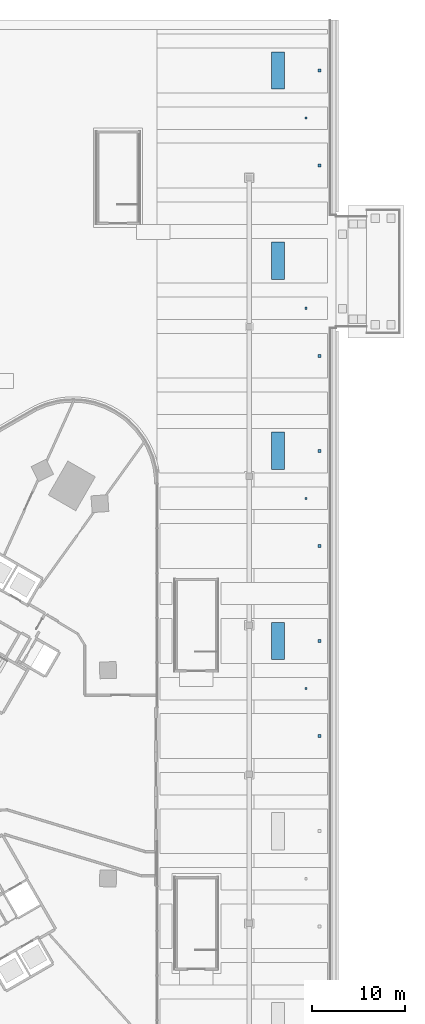
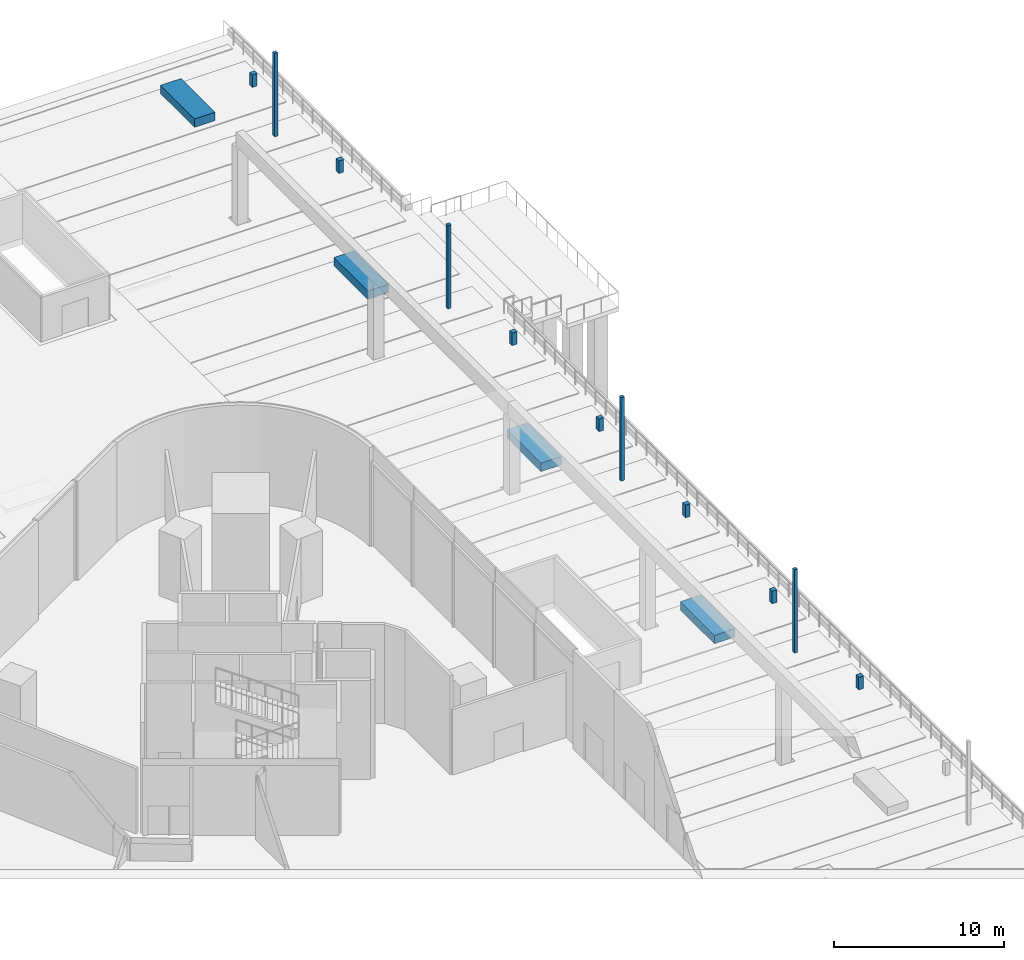
# One storey, part 28 of 41: 15 discrete accessories.
"""IFC4 building model written with IfcOpenShell, lengths in metres."""

from ifc_helpers import new_model, si_unit, direction, frame, origin, origin_2d, place, context, subcontext, project, spatial, rectangle, extrude, material, type_object, element, save


model = new_model("IFC4")

# Units and contexts
model_context = context("Model", 3, precision=1e-05, world=origin(), true_north=direction((0.0, 1.0)))
body_context = subcontext(model_context, "Body", "Model", "MODEL_VIEW")
ifc_project = project(units=[si_unit("LENGTHUNIT", "METRE"), si_unit("AREAUNIT", "SQUARE_METRE"), si_unit("VOLUMEUNIT", "CUBIC_METRE"), si_unit("PLANEANGLEUNIT", "RADIAN"), si_unit("MASSUNIT", "GRAM", prefix="KILO")], contexts=[model_context])

# Site, building, storey
site_placement = place(None, origin())
site = spatial("IfcSite", under=ifc_project, at=site_placement, CompositionType="ELEMENT")
building_placement = place(site_placement, origin())
building = spatial("IfcBuilding", under=site, at=building_placement, Name="Tamra Quay Hotel Tower", CompositionType="ELEMENT")
storey_placement = place(building_placement, origin())
storey = spatial("IfcBuildingStorey", under=building, at=storey_placement, Name="L00", CompositionType="ELEMENT", Elevation=0.0)

# Discrete accessories
ifc_material_1 = material(Name="Planting bed in concrete trough M40", Category="concrete")
discrete_accessory_type_1 = type_object("IfcDiscreteAccessoryType", Name="PLANTER TROUGH 1400X4000", PredefinedType="USERDEFINED", material=ifc_material_1)
for number, where, z_axis, x_axis, name in (
    (1, (40.0, 14.300048828125, 0.06005859375), (0.0, 0.0, 1.0), (1.0, 0.0, 0.0), "Planter trough 5"),
    (2, (40.0, 34.699951171875, 0.06005859375), (0.0, 0.0, 1.0), (1.0, 0.0, 0.0), "Planter trough 6"),
    (3, (40.0, 55.10009765625, 0.06005859375), (0.0, 0.0, 1.0), (1.0, 0.0, 0.0), "Planter trough 7"),
    (4, (40.0, 75.5, 0.06005859375), (0.0, 0.0, 1.0), (1.0, 0.0, 0.0), "Planter trough 8"),
):
    element("IfcDiscreteAccessory", number, at=place(storey_placement, frame(where, z_axis=z_axis, x_axis=x_axis)), inside=storey, type_object=discrete_accessory_type_1, Name=name, ObjectType="PLANTER", PredefinedType="USERDEFINED", context=body_context, shape_type="SweptSolid", body=[
        extrude(rectangle(XDim=1.39990234375, YDim=4.0, at=origin_2d()), origin(), (0.0, 0.0, 1.0), 0.60009765625),
    ])
ifc_material_2 = material(Name="Galvanised steel lamp column", Category="steel")
discrete_accessory_type_2 = type_object("IfcDiscreteAccessoryType", Name="PROMENADE LAMP COLUMN 220", PredefinedType="USERDEFINED", material=ifc_material_2)
for number, where, z_axis, x_axis, name in (
    (5, (43.0, 9.199951171875, 0.06005859375), (0.0, 0.0, 1.0), (1.0, 0.0, 0.0), "Promenade lamp column 5"),
    (6, (43.0, 29.60009765625, 0.06005859375), (0.0, 0.0, 1.0), (1.0, 0.0, 0.0), "Promenade lamp column 6"),
    (7, (43.0, 50.0, 0.06005859375), (0.0, 0.0, 1.0), (1.0, 0.0, 0.0), "Promenade lamp column 7"),
    (8, (43.0, 70.39990234375, 0.06005859375), (0.0, 0.0, 1.0), (1.0, 0.0, 0.0), "Promenade lamp column 8"),
):
    element("IfcDiscreteAccessory", number, at=place(storey_placement, frame(where, z_axis=z_axis, x_axis=x_axis)), inside=storey, type_object=discrete_accessory_type_2, Name=name, ObjectType="LAMP COLUMN", PredefinedType="USERDEFINED", context=body_context, shape_type="SweptSolid", body=[
        extrude(rectangle(XDim=0.219970703125, YDim=0.219970703125, at=origin_2d()), origin(), (0.0, 0.0, 1.0), 6.0),
    ])
ifc_material_3 = material(Name="Stainless steel bollard", Category="steel")
discrete_accessory_type_3 = type_object("IfcDiscreteAccessoryType", Name="QUAY BOLLARD 320", PredefinedType="USERDEFINED", material=ifc_material_3)
for number, where, z_axis, x_axis, name in (
    (9, (44.449951171875, 4.10009765625, 0.06005859375), (0.0, 0.0, 1.0), (1.0, 0.0, 0.0), "Quay bollard 7"),
    (10, (44.449951171875, 14.300048828125, 0.06005859375), (0.0, 0.0, 1.0), (1.0, 0.0, 0.0), "Quay bollard 8"),
    (11, (44.449951171875, 24.5, 0.06005859375), (0.0, 0.0, 1.0), (1.0, 0.0, 0.0), "Quay bollard 9"),
    (12, (44.449951171875, 34.699951171875, 0.06005859375), (0.0, 0.0, 1.0), (1.0, 0.0, 0.0), "Quay bollard 10"),
    (13, (44.449951171875, 44.89990234375, 0.06005859375), (0.0, 0.0, 1.0), (1.0, 0.0, 0.0), "Quay bollard 11"),
    (14, (44.449951171875, 65.300048828125, 0.06005859375), (0.0, 0.0, 1.0), (1.0, 0.0, 0.0), "Quay bollard 12"),
    (15, (44.449951171875, 75.5, 0.06005859375), (0.0, 0.0, 1.0), (1.0, 0.0, 0.0), "Quay bollard 13"),
):
    element("IfcDiscreteAccessory", number, at=place(storey_placement, frame(where, z_axis=z_axis, x_axis=x_axis)), inside=storey, type_object=discrete_accessory_type_3, Name=name, ObjectType="BOLLARD", PredefinedType="USERDEFINED", context=body_context, shape_type="SweptSolid", body=[
        extrude(rectangle(XDim=0.320068359375, YDim=0.320068359375, at=origin_2d()), origin(), (0.0, 0.0, 1.0), 0.89990234375),
    ])

save(model, "model.ifc")
